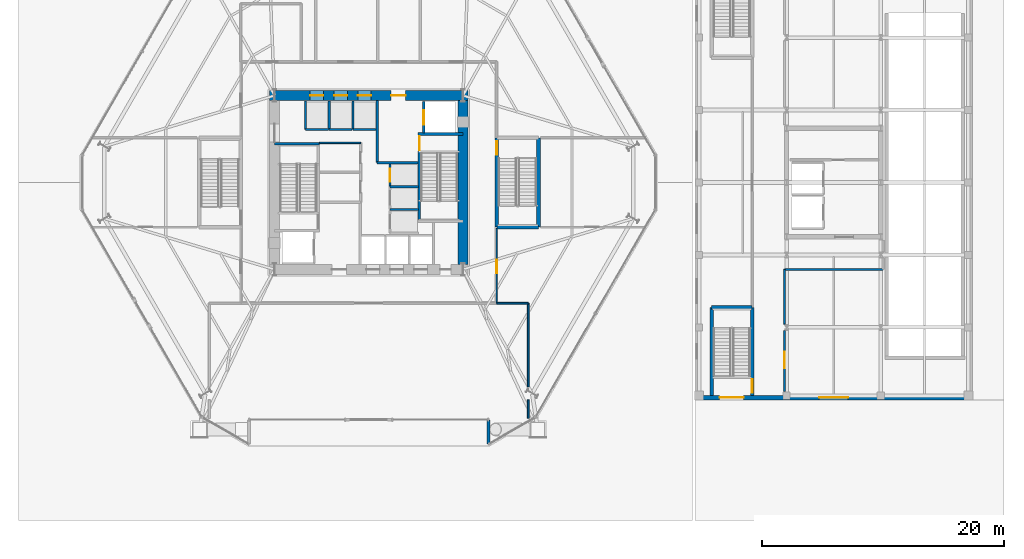
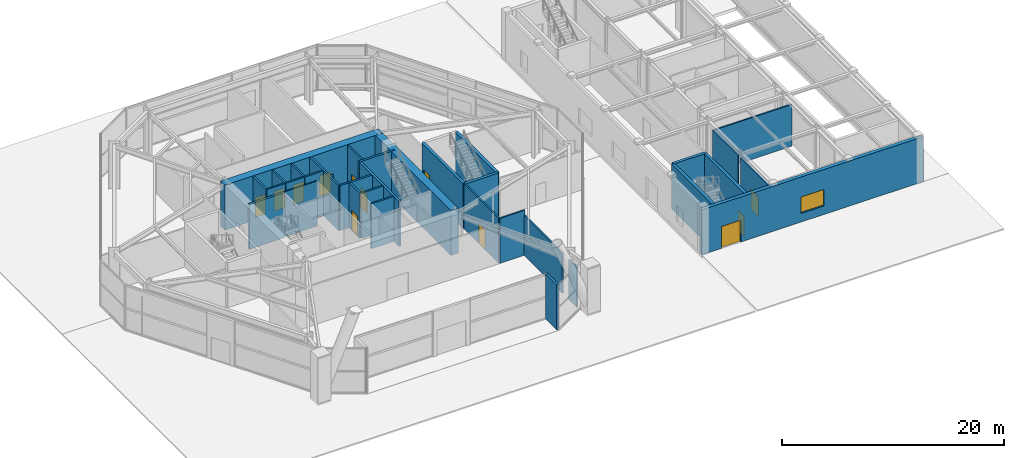
# One storey, part 18 of 26: 33 walls, 12 doors, 1 window, 13 openings.
"""IFC4 building model written with IfcOpenShell, lengths in metres."""

from ifc_helpers import new_model, si_unit, direction, frame, frame_2d, origin, place, context, subcontext, project, spatial, rectangle, extrude, material, layer, layer_set, type_object, element, fill, save


model = new_model("IFC4")

# Units and contexts
model_context = context("Model", 3, precision=1e-05, world=origin(), true_north=direction((0.0, 1.0)))
body_context = subcontext(model_context, "Body", "Model", "MODEL_VIEW")
ifc_project = project(units=[si_unit("LENGTHUNIT", "METRE"), si_unit("AREAUNIT", "SQUARE_METRE"), si_unit("VOLUMEUNIT", "CUBIC_METRE"), si_unit("PLANEANGLEUNIT", "RADIAN"), si_unit("MASSUNIT", "GRAM", prefix="KILO")], contexts=[model_context])

# Site, building, storey
site_placement = place(None, origin())
site = spatial("IfcSite", under=ifc_project, at=site_placement, CompositionType="ELEMENT")
building_placement = place(site_placement, origin())
building = spatial("IfcBuilding", under=site, at=building_placement, Name="Kranzbogen Civic Tower", CompositionType="ELEMENT")
storey_placement = place(building_placement, origin())
storey = spatial("IfcBuildingStorey", under=building, at=storey_placement, Name="L00", CompositionType="ELEMENT", Elevation=0.0)

# Wall, opening, door
ifc_material_1 = material(Name="Double-Stud Acoustic Gypsum Partition")
ifc_layer_1 = layer(ifc_material_1, 0.14990234375, Name="Double-Stud Acoustic Gypsum Partition")
ifc_layer_set_1 = layer_set([ifc_layer_1], Name="Double-Stud Acoustic Gypsum Partition")
wall_type_1 = type_object("IfcWallType", Name="Acoustic Corridor and Clinical Partition 150 mm", PredefinedType="PARTITIONING", material=ifc_layer_set_1)
wall_1_placement = place(storey_placement, frame((35.60009765625, 15.0, 0.0), z_axis=(0.0, 0.0, 1.0), x_axis=(0.0, 1.0, 0.0)))
wall_1 = element("IfcWall", 1, at=wall_1_placement, inside=storey, type_object=wall_type_1, Name="L00 podium concourse E1 wall", PredefinedType="PARTITIONING", context=body_context, shape_type="SweptSolid", body=[
    extrude(rectangle(XDim=6.25, YDim=0.14990234375, at=frame_2d((3.125, 0.0))), origin(), (0.0, 0.0, 1.0), 4.93994140625),
])
opening_1_placement = place(wall_1_placement, frame((2.486083984375, 0.0, 0.0)))
opening_1 = element("IfcOpeningElement", 2, at=opening_1_placement, cuts=wall_1, Name="Opening D-COR60", PredefinedType="OPENING", context=body_context, shape_type="SweptSolid", body=[
    extrude(rectangle(XDim=1.10009765625, YDim=2.199951171875, at=frame_2d((0.550048828125, 1.10009765625))), frame((0.0, 0.0849609375, 0.0), z_axis=(0.0, -1.0, 0.0), x_axis=(1.0, 0.0, 0.0)), (0.0, 0.0, 1.0), 0.169921875),
])
ifc_material_2 = material(Name="Oak Timber and Fire Core", Category="wood")
door_type_1 = type_object("IfcDoorType", Name="Corridor Acoustic Fire Door 1100x2200", OperationType="NOTDEFINED", PredefinedType="DOOR", material=ifc_material_2)
door_1_placement = place(opening_1_placement, origin())
door_1 = element("IfcDoor", 3, at=door_1_placement, inside=storey, type_object=door_type_1, Name="L00 Municipal Information Lounge door", OperationType="SINGLE_SWING_LEFT", OverallHeight=2.199951171875, OverallWidth=1.10009765625, PredefinedType="DOOR", context=body_context, shape_type="SweptSolid", body=[
    extrude(rectangle(XDim=1.10009765625, YDim=2.199951171875, at=frame_2d((0.550048828125, 1.10009765625))), frame((0.0, 0.02490234375, 0.0), z_axis=(0.0, -1.0, 0.0), x_axis=(1.0, 0.0, 0.0)), (0.0, 0.0, 1.0), 0.050048828125),
])
fill(opening_1, door_1)

# Walls
wall_2_placement = place(storey_placement, frame((38.199951171875, 5.469970703125, 0.0), z_axis=(0.0, 0.0, 1.0), x_axis=(0.0, 1.0, 0.0)))
element("IfcWall", 4, at=wall_2_placement, inside=storey, type_object=wall_type_1, Name="L00 podium partition 09 part 1", PredefinedType="PARTITIONING", context=body_context, shape_type="SweptSolid", body=[
    extrude(rectangle(XDim=1.52197265625, YDim=0.14990234375, at=frame_2d((0.760986328125, 0.0))), origin(), (0.0, 0.0, 1.0), 4.389892578125),
])
wall_3_placement = place(storey_placement, frame((38.199951171875, 8.080078125, 0.0), z_axis=(0.0, 0.0, 1.0), x_axis=(0.0, 1.0, 0.0)))
element("IfcWall", 5, at=wall_3_placement, inside=storey, type_object=wall_type_1, Name="L00 podium partition 09 part 2", PredefinedType="PARTITIONING", context=body_context, shape_type="SweptSolid", body=[
    extrude(rectangle(XDim=6.919921875, YDim=0.14990234375, at=frame_2d((3.4599609375, 0.0))), origin(), (0.0, 0.0, 1.0), 4.389892578125),
])
wall_4_placement = place(storey_placement, frame((35.60009765625, 15.0, 0.0), z_axis=(0.0, 0.0, 1.0), x_axis=(1.0, 0.0, 0.0)))
element("IfcWall", 6, at=wall_4_placement, inside=storey, type_object=wall_type_1, Name="L00 podium partition 11", PredefinedType="PARTITIONING", context=body_context, shape_type="SweptSolid", body=[
    extrude(rectangle(XDim=2.599853515625, YDim=0.14990234375, at=frame_2d((1.2998046875, 0.0))), origin(), (0.0, 0.0, 1.0), 4.93994140625),
])

# Wall, opening, door
wall_5_placement = place(storey_placement, frame((59.425048828125, 7.68994140625, 0.0), z_axis=(0.0, 0.0, 1.0), x_axis=(0.0, 1.0, 0.0)))
wall_5 = element("IfcWall", 7, at=wall_5_placement, inside=storey, type_object=wall_type_1, Name="L00 clinical corridor E1 wall part 1", PredefinedType="PARTITIONING", context=body_context, shape_type="SweptSolid", body=[
    extrude(rectangle(XDim=5.045166015625, YDim=0.14990234375, at=frame_2d((2.5224609375, 0.0))), origin(), (0.0, 0.0, 1.0), 4.580078125),
])
opening_2_placement = place(wall_5_placement, frame((1.93603515625, 0.0, 0.0)))
opening_2 = element("IfcOpeningElement", 8, at=opening_2_placement, cuts=wall_5, Name="Opening D-CLN60", PredefinedType="OPENING", context=body_context, shape_type="SweptSolid", body=[
    extrude(rectangle(XDim=1.35009765625, YDim=2.199951171875, at=frame_2d((0.675048828125, 1.10009765625))), frame((0.0, 0.0849609375, 0.0), z_axis=(0.0, -1.0, 0.0), x_axis=(1.0, 0.0, 0.0)), (0.0, 0.0, 1.0), 0.169921875),
])
ifc_material_3 = material(Name="Pale Anodised Aluminium", Category="aluminium")
door_type_2 = type_object("IfcDoorType", Name="Clinical Wide Leaf Door 1350x2200", OperationType="NOTDEFINED", PredefinedType="DOOR", material=ifc_material_3)
door_2_placement = place(opening_2_placement, origin())
door_2 = element("IfcDoor", 9, at=door_2_placement, inside=storey, type_object=door_type_2, Name="L00 Community Dispensary and Pharmacy door", OperationType="SINGLE_SWING_RIGHT", OverallHeight=2.199951171875, OverallWidth=1.35009765625, PredefinedType="DOOR", context=body_context, shape_type="SweptSolid", body=[
    extrude(rectangle(XDim=1.35009765625, YDim=2.199951171875, at=frame_2d((0.675048828125, 1.10009765625))), frame((0.0, 0.02490234375, 0.0), z_axis=(0.0, -1.0, 0.0), x_axis=(1.0, 0.0, 0.0)), (0.0, 0.0, 1.0), 0.050048828125),
])
fill(opening_2, door_2)

# Walls
wall_6_placement = place(storey_placement, frame((59.425048828125, 13.264892578125, 0.0), z_axis=(0.0, 0.0, 1.0), x_axis=(0.0, 1.0, 0.0)))
element("IfcWall", 10, at=wall_6_placement, inside=storey, type_object=wall_type_1, Name="L00 clinical corridor E1 wall part 2", PredefinedType="PARTITIONING", context=body_context, shape_type="SweptSolid", body=[
    extrude(rectangle(XDim=4.53515625, YDim=0.14990234375, at=frame_2d((2.267578125, 0.0))), origin(), (0.0, 0.0, 1.0), 4.580078125),
])
wall_7_placement = place(storey_placement, frame((59.425048828125, 17.800048828125, 0.0), z_axis=(0.0, 0.0, 1.0), x_axis=(1.0, 0.0, 0.0)))
element("IfcWall", 11, at=wall_7_placement, inside=storey, type_object=wall_type_1, Name="L00 clinical partition 02", PredefinedType="PARTITIONING", context=body_context, shape_type="SweptSolid", body=[
    extrude(rectangle(XDim=8.14990234375, YDim=0.14990234375, at=frame_2d((4.074951171875, 0.0))), origin(), (0.0, 0.0, 1.0), 4.580078125),
])
ifc_material_4 = material(Name="Insulated Metal-Stud Gypsum Partition")
ifc_layer_2 = layer(ifc_material_4, 0.125, Name="Insulated Metal-Stud Gypsum Partition")
ifc_layer_set_2 = layer_set([ifc_layer_2], Name="Insulated Metal-Stud Gypsum Partition")
wall_type_2 = type_object("IfcWallType", Name="Acoustic Inter-Room Partition 125 mm", PredefinedType="PARTITIONING", material=ifc_layer_set_2)
wall_8_placement = place(storey_placement, frame((20.919921875, 28.280029296875, 0.0), z_axis=(0.0, 0.0, 1.0), x_axis=(1.0, 0.0, 0.0)))
element("IfcWall", 12, at=wall_8_placement, inside=storey, type_object=wall_type_2, Name="L00 core auxiliary North wall", PredefinedType="PARTITIONING", context=body_context, shape_type="SweptSolid", body=[
    extrude(rectangle(XDim=3.405029296875, YDim=0.125, at=frame_2d((1.70263671875, 0.0))), origin(), (0.0, 0.0, 1.0), 4.93994140625),
])

# Wall, openings, doors
ifc_material_5 = material(Name="Concrete C55/67", Category="concrete")
ifc_layer_3 = layer(ifc_material_5, 0.800048828125, Name="Concrete C55/67")
ifc_layer_set_3 = layer_set([ifc_layer_3], Name="Concrete C55/67")
wall_type_3 = type_object("IfcWallType", Name="Central Core Shear Wall 800 mm", PredefinedType="SHEAR", material=ifc_layer_set_3)
wall_9_placement = place(storey_placement, frame((33.199951171875, 32.199951171875, 0.0), z_axis=(0.0, 0.0, 1.0), x_axis=(-1.0, 0.0, 0.0)))
wall_9 = element("IfcWall", 13, at=wall_9_placement, inside=storey, type_object=wall_type_3, Name="L00 central core North shear wall", PredefinedType="SHEAR", context=body_context, shape_type="SweptSolid", body=[
    extrude(rectangle(XDim=16.39990234375, YDim=0.800048828125, at=frame_2d((8.199951171875, 0.0))), origin(), (0.0, 0.0, 1.0), 4.93994140625),
])
opening_3_placement = place(wall_9_placement, frame((5.14990234375, 0.0, 0.0)))
opening_3 = element("IfcOpeningElement", 14, at=opening_3_placement, cuts=wall_9, Name="Opening D-EX120", PredefinedType="OPENING", context=body_context, shape_type="SweptSolid", body=[
    extrude(rectangle(XDim=1.199951171875, YDim=2.25, at=frame_2d((0.60009765625, 1.125))), frame((0.0, 0.41015625, 0.0), z_axis=(0.0, -1.0, 0.0), x_axis=(1.0, 0.0, 0.0)), (0.0, 0.0, 1.0), 0.820068359375),
])
opening_4_placement = place(wall_9_placement, frame((11.949951171875, 0.0, 0.0)))
opening_4 = element("IfcOpeningElement", 15, at=opening_4_placement, cuts=wall_9, Name="Opening LD-MP-01", PredefinedType="OPENING", context=body_context, shape_type="SweptSolid", body=[
    extrude(rectangle(XDim=1.10009765625, YDim=2.199951171875, at=frame_2d((0.550048828125, 1.10009765625))), frame((0.0, 0.41015625, 0.0), z_axis=(0.0, -1.0, 0.0), x_axis=(1.0, 0.0, 0.0)), (0.0, 0.0, 1.0), 0.820068359375),
])
opening_5_placement = place(wall_9_placement, frame((9.97509765625, 0.0, 0.0)))
opening_5 = element("IfcOpeningElement", 16, at=opening_5_placement, cuts=wall_9, Name="Opening LD-MP-02", PredefinedType="OPENING", context=body_context, shape_type="SweptSolid", body=[
    extrude(rectangle(XDim=1.10009765625, YDim=2.199951171875, at=frame_2d((0.550048828125, 1.10009765625))), frame((0.0, 0.41015625, 0.0), z_axis=(0.0, -1.0, 0.0), x_axis=(1.0, 0.0, 0.0)), (0.0, 0.0, 1.0), 0.820068359375),
])
opening_6_placement = place(wall_9_placement, frame((8.0, 0.0, 0.0)))
opening_6 = element("IfcOpeningElement", 17, at=opening_6_placement, cuts=wall_9, Name="Opening LD-MP-03", PredefinedType="OPENING", context=body_context, shape_type="SweptSolid", body=[
    extrude(rectangle(XDim=1.10009765625, YDim=2.199951171875, at=frame_2d((0.550048828125, 1.10009765625))), frame((0.0, 0.41015625, 0.0), z_axis=(0.0, -1.0, 0.0), x_axis=(1.0, 0.0, 0.0)), (0.0, 0.0, 1.0), 0.820068359375),
])
ifc_material_6 = material(Name="Steel S355", Category="steel")
door_type_3 = type_object("IfcDoorType", Name="Exit Passageway Fire Door 1200x2250", OperationType="NOTDEFINED", PredefinedType="DOOR", material=ifc_material_6)
door_3_placement = place(opening_3_placement, origin())
door_3 = element("IfcDoor", 18, at=door_3_placement, inside=storey, type_object=door_type_3, Name="L00 East firefighting lobby corridor door", OperationType="SINGLE_SWING_LEFT", OverallHeight=2.25, OverallWidth=1.199951171875, PredefinedType="DOOR", context=body_context, shape_type="SweptSolid", body=[
    extrude(rectangle(XDim=1.199951171875, YDim=2.25, at=frame_2d((0.60009765625, 1.125))), frame((0.0, 0.02490234375, 0.0), z_axis=(0.0, -1.0, 0.0), x_axis=(1.0, 0.0, 0.0)), (0.0, 0.0, 1.0), 0.050048828125),
])
fill(opening_3, door_3)
door_type_4 = type_object("IfcDoorType", Name="Passenger Lift Sliding Landing Door 1100x2200", OperationType="DOUBLE_DOOR_SLIDING", PredefinedType="DOOR", material=ifc_material_3)
door_4_placement = place(opening_4_placement, origin())
door_4 = element("IfcDoor", 19, at=door_4_placement, inside=storey, type_object=door_type_4, Name="L00 lift MP-01 sliding landing door", OperationType="DOUBLE_DOOR_SLIDING", OverallHeight=2.199951171875, OverallWidth=1.10009765625, PredefinedType="DOOR", context=body_context, shape_type="SweptSolid", body=[
    extrude(rectangle(XDim=1.10009765625, YDim=2.199951171875, at=frame_2d((0.550048828125, 1.10009765625))), frame((0.0, 0.02490234375, 0.0), z_axis=(0.0, -1.0, 0.0), x_axis=(1.0, 0.0, 0.0)), (0.0, 0.0, 1.0), 0.050048828125),
])
fill(opening_4, door_4)
door_5_placement = place(opening_5_placement, origin())
door_5 = element("IfcDoor", 20, at=door_5_placement, inside=storey, type_object=door_type_4, Name="L00 lift MP-02 sliding landing door", OperationType="DOUBLE_DOOR_SLIDING", OverallHeight=2.199951171875, OverallWidth=1.10009765625, PredefinedType="DOOR", context=body_context, shape_type="SweptSolid", body=[
    extrude(rectangle(XDim=1.10009765625, YDim=2.199951171875, at=frame_2d((0.550048828125, 1.10009765625))), frame((0.0, 0.02490234375, 0.0), z_axis=(0.0, -1.0, 0.0), x_axis=(1.0, 0.0, 0.0)), (0.0, 0.0, 1.0), 0.050048828125),
])
fill(opening_5, door_5)
door_6_placement = place(opening_6_placement, origin())
door_6 = element("IfcDoor", 21, at=door_6_placement, inside=storey, type_object=door_type_4, Name="L00 lift MP-03 sliding landing door", OperationType="DOUBLE_DOOR_SLIDING", OverallHeight=2.199951171875, OverallWidth=1.10009765625, PredefinedType="DOOR", context=body_context, shape_type="SweptSolid", body=[
    extrude(rectangle(XDim=1.10009765625, YDim=2.199951171875, at=frame_2d((0.550048828125, 1.10009765625))), frame((0.0, 0.02490234375, 0.0), z_axis=(0.0, -1.0, 0.0), x_axis=(1.0, 0.0, 0.0)), (0.0, 0.0, 1.0), 0.050048828125),
])
fill(opening_6, door_6)

# Walls
wall_10_placement = place(storey_placement, frame((32.800048828125, 18.199951171875, 0.0), z_axis=(0.0, 0.0, 1.0), x_axis=(0.0, 1.0, 0.0)))
element("IfcWall", 22, at=wall_10_placement, inside=storey, type_object=wall_type_3, Name="L00 central core East shear wall", PredefinedType="SHEAR", context=body_context, shape_type="SweptSolid", body=[
    extrude(rectangle(XDim=13.60009765625, YDim=0.800048828125, at=frame_2d((6.800048828125, 0.0))), origin(), (0.0, 0.0, 1.0), 4.93994140625),
])
ifc_material_7 = material(Name="Concrete C45/55", Category="concrete")
ifc_layer_4 = layer(ifc_material_7, 0.219970703125, Name="Concrete C45/55")
ifc_layer_set_4 = layer_set([ifc_layer_4], Name="Concrete C45/55")
wall_type_4 = type_object("IfcWallType", Name="Core Internal Stair Structural Wall 220 mm", PredefinedType="SOLIDWALL", material=ifc_layer_set_4)
wall_11_placement = place(storey_placement, frame((17.199951171875, 28.2099609375, 0.0), z_axis=(0.0, 0.0, 1.0), x_axis=(1.0, 0.0, 0.0)))
element("IfcWall", 23, at=wall_11_placement, inside=storey, type_object=wall_type_4, Name="L00 ST-T1 North structural stair wall", PredefinedType="SOLIDWALL", context=body_context, shape_type="SweptSolid", body=[
    extrude(rectangle(XDim=3.719970703125, YDim=0.219970703125, at=frame_2d((1.85986328125, 0.0))), origin(), (0.0, 0.0, 1.0), 4.93994140625),
])

# Wall, opening, door
wall_12_placement = place(storey_placement, frame((29.18994140625, 21.7900390625, 0.0), z_axis=(0.0, 0.0, 1.0), x_axis=(0.0, 1.0, 0.0)))
wall_12 = element("IfcWall", 24, at=wall_12_placement, inside=storey, type_object=wall_type_4, Name="L00 ST-T2 West structural stair wall", PredefinedType="SOLIDWALL", context=body_context, shape_type="SweptSolid", body=[
    extrude(rectangle(XDim=7.219970703125, YDim=0.219970703125, at=frame_2d((3.60986328125, 0.0))), origin(), (0.0, 0.0, 1.0), 4.93994140625),
])
opening_7_placement = place(wall_12_placement, frame((5.8798828125, 0.0, 0.0)))
opening_7 = element("IfcOpeningElement", 25, at=opening_7_placement, cuts=wall_12, Name="Opening D-ST90", PredefinedType="OPENING", context=body_context, shape_type="SweptSolid", body=[
    extrude(rectangle(XDim=1.14990234375, YDim=2.199951171875, at=frame_2d((0.574951171875, 1.10009765625))), frame((0.0, 0.1201171875, 0.0), z_axis=(0.0, -1.0, 0.0), x_axis=(1.0, 0.0, 0.0)), (0.0, 0.0, 1.0), 0.239990234375),
])
door_type_5 = type_object("IfcDoorType", Name="Pressurized Stair and Lobby Fire Door 1150x2200", OperationType="NOTDEFINED", PredefinedType="DOOR", material=ifc_material_6)
door_7_placement = place(opening_7_placement, origin())
door_7 = element("IfcDoor", 26, at=door_7_placement, inside=storey, type_object=door_type_5, Name="L00 Stair ST-T2 fire door", OperationType="SINGLE_SWING_LEFT", OverallHeight=2.199951171875, OverallWidth=1.14990234375, PredefinedType="DOOR", context=body_context, shape_type="SweptSolid", body=[
    extrude(rectangle(XDim=1.14990234375, YDim=2.199951171875, at=frame_2d((0.574951171875, 1.10009765625))), frame((0.0, 0.02490234375, 0.0), z_axis=(0.0, -1.0, 0.0), x_axis=(1.0, 0.0, 0.0)), (0.0, 0.0, 1.0), 0.050048828125),
])
fill(opening_7, door_7)

# Walls
wall_13_placement = place(storey_placement, frame((29.080078125, 29.010009765625, 0.0), z_axis=(0.0, 0.0, 1.0), x_axis=(1.0, 0.0, 0.0)))
element("IfcWall", 27, at=wall_13_placement, inside=storey, type_object=wall_type_4, Name="L00 ST-T2 North structural stair wall", PredefinedType="SOLIDWALL", context=body_context, shape_type="SweptSolid", body=[
    extrude(rectangle(XDim=3.719970703125, YDim=0.219970703125, at=frame_2d((1.85986328125, 0.0))), origin(), (0.0, 0.0, 1.0), 4.93994140625),
])
ifc_material_8 = material(Name="Gypsum Fireboard and Concrete Block", Category="concrete")
ifc_layer_5 = layer(ifc_material_8, 0.199951171875, Name="Gypsum Fireboard and Concrete Block")
ifc_layer_set_5 = layer_set([ifc_layer_5], Name="Gypsum Fireboard and Concrete Block")
wall_type_5 = type_object("IfcWallType", Name="Fire-Rated Exit Passageway and Stair Wall 200 mm", PredefinedType="PARTITIONING", material=ifc_layer_set_5)
wall_14_placement = place(storey_placement, frame((25.699951171875, 26.64990234375, 0.0), z_axis=(0.0, 0.0, 1.0), x_axis=(0.0, 1.0, 0.0)))
element("IfcWall", 28, at=wall_14_placement, inside=storey, type_object=wall_type_5, Name="L00 East firefighting lobby West wall", PredefinedType="PARTITIONING", context=body_context, shape_type="SweptSolid", body=[
    extrude(rectangle(XDim=5.150146484375, YDim=0.199951171875, at=frame_2d((2.5751953125, 0.0))), origin(), (0.0, 0.0, 1.0), 4.93994140625),
])
wall_15_placement = place(storey_placement, frame((25.699951171875, 26.64990234375, 0.0), z_axis=(0.0, 0.0, 1.0), x_axis=(1.0, 0.0, 0.0)))
element("IfcWall", 29, at=wall_15_placement, inside=storey, type_object=wall_type_5, Name="L00 East firefighting lobby South wall", PredefinedType="PARTITIONING", context=body_context, shape_type="SweptSolid", body=[
    extrude(rectangle(XDim=3.380126953125, YDim=0.199951171875, at=frame_2d((1.68994140625, 0.0))), origin(), (0.0, 0.0, 1.0), 4.93994140625),
])
ifc_material_9 = material(Name="Gypsum Fireboard Shaftliner")
ifc_layer_6 = layer(ifc_material_9, 0.175048828125, Name="Gypsum Fireboard Shaftliner")
ifc_layer_set_6 = layer_set([ifc_layer_6], Name="Gypsum Fireboard Shaftliner")
wall_type_6 = type_object("IfcWallType", Name="Fire-Rated Lift and Service Shaft Wall 175 mm", PredefinedType="PARTITIONING", material=ifc_layer_set_6)
wall_16_placement = place(storey_placement, frame((19.75, 29.39990234375, 0.0), z_axis=(0.0, 0.0, 1.0), x_axis=(1.0, 0.0, 0.0)))
element("IfcWall", 30, at=wall_16_placement, inside=storey, type_object=wall_type_6, Name="L00 lift MP-01 rear wall", PredefinedType="PARTITIONING", context=body_context, shape_type="SweptSolid", body=[
    extrude(rectangle(XDim=1.89990234375, YDim=0.175048828125, at=frame_2d((0.949951171875, 0.0))), origin(), (0.0, 0.0, 1.0), 4.93994140625),
])
wall_17_placement = place(storey_placement, frame((19.75, 29.39990234375, 0.0), z_axis=(0.0, 0.0, 1.0), x_axis=(0.0, 1.0, 0.0)))
element("IfcWall", 31, at=wall_17_placement, inside=storey, type_object=wall_type_6, Name="L00 lift MP-01 side wall", PredefinedType="PARTITIONING", context=body_context, shape_type="SweptSolid", body=[
    extrude(rectangle(XDim=2.35009765625, YDim=0.175048828125, at=frame_2d((1.175048828125, 0.0))), origin(), (0.0, 0.0, 1.0), 4.93994140625),
])
wall_18_placement = place(storey_placement, frame((21.72509765625, 29.39990234375, 0.0), z_axis=(0.0, 0.0, 1.0), x_axis=(1.0, 0.0, 0.0)))
element("IfcWall", 32, at=wall_18_placement, inside=storey, type_object=wall_type_6, Name="L00 lift MP-02 rear wall", PredefinedType="PARTITIONING", context=body_context, shape_type="SweptSolid", body=[
    extrude(rectangle(XDim=1.89990234375, YDim=0.175048828125, at=frame_2d((0.949951171875, 0.0))), origin(), (0.0, 0.0, 1.0), 4.93994140625),
])
wall_19_placement = place(storey_placement, frame((21.72509765625, 29.39990234375, 0.0), z_axis=(0.0, 0.0, 1.0), x_axis=(0.0, 1.0, 0.0)))
element("IfcWall", 33, at=wall_19_placement, inside=storey, type_object=wall_type_6, Name="L00 lift MP-02 side wall", PredefinedType="PARTITIONING", context=body_context, shape_type="SweptSolid", body=[
    extrude(rectangle(XDim=2.35009765625, YDim=0.175048828125, at=frame_2d((1.175048828125, 0.0))), origin(), (0.0, 0.0, 1.0), 4.93994140625),
])
wall_20_placement = place(storey_placement, frame((23.699951171875, 29.39990234375, 0.0), z_axis=(0.0, 0.0, 1.0), x_axis=(1.0, 0.0, 0.0)))
element("IfcWall", 34, at=wall_20_placement, inside=storey, type_object=wall_type_6, Name="L00 lift MP-03 rear wall", PredefinedType="PARTITIONING", context=body_context, shape_type="SweptSolid", body=[
    extrude(rectangle(XDim=1.900146484375, YDim=0.175048828125, at=frame_2d((0.9501953125, 0.0))), origin(), (0.0, 0.0, 1.0), 4.93994140625),
])
for number, where, z_axis, x_axis, name in (
    (35, (23.699951171875, 29.39990234375, 0.0), (0.0, 0.0, 1.0), (0.0, 1.0, 0.0), "L00 lift MP-03 side wall"),
    (36, (26.75, 22.77490234375, 0.0), (0.0, 0.0, 1.0), (1.0, 0.0, 0.0), "L00 lift HP-02 side wall"),
):
    element("IfcWall", number, at=place(storey_placement, frame(where, z_axis=z_axis, x_axis=x_axis)), inside=storey, type_object=wall_type_6, Name=name, PredefinedType="PARTITIONING", context=body_context, shape_type="SweptSolid", body=[
        extrude(rectangle(XDim=2.35009765625, YDim=0.175048828125, at=frame_2d((1.175048828125, 0.0))), origin(), (0.0, 0.0, 1.0), 4.93994140625),
    ])

# Wall, opening, door
wall_21_placement = place(storey_placement, frame((26.75, 24.64990234375, 0.0), z_axis=(0.0, 0.0, 1.0), x_axis=(0.0, 1.0, 0.0)))
wall_21 = element("IfcWall", 37, at=wall_21_placement, inside=storey, type_object=wall_type_6, Name="L00 lift HP-03 landing wall", PredefinedType="PARTITIONING", context=body_context, shape_type="SweptSolid", body=[
    extrude(rectangle(XDim=1.900146484375, YDim=0.175048828125, at=frame_2d((0.9501953125, 0.0))), origin(), (0.0, 0.0, 1.0), 4.93994140625),
])
opening_8_placement = place(wall_21_placement, frame((0.39990234375, 0.0, 0.0)))
opening_8 = element("IfcOpeningElement", 38, at=opening_8_placement, cuts=wall_21, Name="Opening LD-HP-03", PredefinedType="OPENING", context=body_context, shape_type="SweptSolid", body=[
    extrude(rectangle(XDim=1.10009765625, YDim=2.199951171875, at=frame_2d((0.550048828125, 1.10009765625))), frame((0.0, 0.09765625, 0.0), z_axis=(0.0, -1.0, 0.0), x_axis=(1.0, 0.0, 0.0)), (0.0, 0.0, 1.0), 0.195068359375),
])
door_8_placement = place(opening_8_placement, origin())
door_8 = element("IfcDoor", 39, at=door_8_placement, inside=storey, type_object=door_type_4, Name="L00 lift HP-03 sliding landing door", OperationType="DOUBLE_DOOR_SLIDING", OverallHeight=2.199951171875, OverallWidth=1.10009765625, PredefinedType="DOOR", context=body_context, shape_type="SweptSolid", body=[
    extrude(rectangle(XDim=1.10009765625, YDim=2.199951171875, at=frame_2d((0.550048828125, 1.10009765625))), frame((0.0, 0.02490234375, 0.0), z_axis=(0.0, -1.0, 0.0), x_axis=(1.0, 0.0, 0.0)), (0.0, 0.0, 1.0), 0.050048828125),
])
fill(opening_8, door_8)

# Wall
wall_22_placement = place(storey_placement, frame((26.75, 24.64990234375, 0.0), z_axis=(0.0, 0.0, 1.0), x_axis=(1.0, 0.0, 0.0)))
element("IfcWall", 40, at=wall_22_placement, inside=storey, type_object=wall_type_6, Name="L00 lift HP-03 side wall", PredefinedType="PARTITIONING", context=body_context, shape_type="SweptSolid", body=[
    extrude(rectangle(XDim=2.35009765625, YDim=0.175048828125, at=frame_2d((1.175048828125, 0.0))), origin(), (0.0, 0.0, 1.0), 4.93994140625),
])

# Wall, opening, door
wall_23_placement = place(storey_placement, frame((29.550048828125, 29.10009765625, 0.0), z_axis=(0.0, 0.0, 1.0), x_axis=(0.0, 1.0, 0.0)))
wall_23 = element("IfcWall", 41, at=wall_23_placement, inside=storey, type_object=wall_type_6, Name="L00 lift FF-02 landing wall", PredefinedType="PARTITIONING", context=body_context, shape_type="SweptSolid", body=[
    extrude(rectangle(XDim=2.599853515625, YDim=0.175048828125, at=frame_2d((1.2998046875, 0.0))), origin(), (0.0, 0.0, 1.0), 4.93994140625),
])
opening_9_placement = place(wall_23_placement, frame((0.699951171875, 0.0, 0.0)))
opening_9 = element("IfcOpeningElement", 42, at=opening_9_placement, cuts=wall_23, Name="Opening LD-FF-02", PredefinedType="OPENING", context=body_context, shape_type="SweptSolid", body=[
    extrude(rectangle(XDim=1.199951171875, YDim=2.199951171875, at=frame_2d((0.60009765625, 1.10009765625))), frame((0.0, 0.09765625, 0.0), z_axis=(0.0, -1.0, 0.0), x_axis=(1.0, 0.0, 0.0)), (0.0, 0.0, 1.0), 0.195068359375),
])
door_type_6 = type_object("IfcDoorType", Name="Firefighting and Stretcher Lift Sliding Landing Door 1200x2200", OperationType="DOUBLE_DOOR_SLIDING", PredefinedType="DOOR", material=ifc_material_3)
door_9_placement = place(opening_9_placement, origin())
door_9 = element("IfcDoor", 43, at=door_9_placement, inside=storey, type_object=door_type_6, Name="L00 lift FF-02 sliding landing door", OperationType="DOUBLE_DOOR_SLIDING", OverallHeight=2.199951171875, OverallWidth=1.199951171875, PredefinedType="DOOR", context=body_context, shape_type="SweptSolid", body=[
    extrude(rectangle(XDim=1.199951171875, YDim=2.199951171875, at=frame_2d((0.60009765625, 1.10009765625))), frame((0.0, 0.02490234375, 0.0), z_axis=(0.0, -1.0, 0.0), x_axis=(1.0, 0.0, 0.0)), (0.0, 0.0, 1.0), 0.050048828125),
])
fill(opening_9, door_9)

# Wall, openings, door, window
ifc_material_10 = material(Name="Precast concrete C40/50", Category="concrete")
ifc_layer_7 = layer(ifc_material_10, 0.3798828125, Name="Precast concrete C40/50")
ifc_layer_set_7 = layer_set([ifc_layer_7], Name="Precast concrete C40/50")
wall_type_7 = type_object("IfcWallType", Name="Health Centre Insulated Precast Facade Wall 380 mm", PredefinedType="STANDARD", material=ifc_layer_set_7)
wall_24_placement = place(storey_placement, frame((75.0, 7.18994140625, 0.0), z_axis=(0.0, 0.0, 1.0), x_axis=(-1.0, 0.0, 0.0)))
wall_24 = element("IfcWall", 44, at=wall_24_placement, inside=storey, type_object=wall_type_7, Name="L00 Health Centre South facade wall", PredefinedType="STANDARD", context=body_context, shape_type="SweptSolid", body=[
    extrude(rectangle(XDim=23.0, YDim=0.3798828125, at=frame_2d((11.5, 0.0))), origin(), (0.0, 0.0, 1.0), 4.93994140625),
])
opening_10_placement = place(wall_24_placement, frame((18.949951171875, 0.0, 0.0)))
opening_10 = element("IfcOpeningElement", 45, at=opening_10_placement, cuts=wall_24, Name="Opening D-EXP", PredefinedType="OPENING", context=body_context, shape_type="SweptSolid", body=[
    extrude(rectangle(XDim=2.0, YDim=2.39990234375, at=frame_2d((1.0, 1.199951171875))), frame((0.0, 0.199951171875, 0.0), z_axis=(0.0, -1.0, 0.0), x_axis=(1.0, 0.0, 0.0)), (0.0, 0.0, 1.0), 0.39990234375),
])
opening_11_placement = place(wall_24_placement, frame((10.300048828125, 0.0, 0.949951171875)))
opening_11 = element("IfcOpeningElement", 46, at=opening_11_placement, cuts=wall_24, Name="Opening W-HC24", PredefinedType="OPENING", context=body_context, shape_type="SweptSolid", body=[
    extrude(rectangle(XDim=2.39990234375, YDim=1.800048828125, at=frame_2d((1.199951171875, 0.89990234375))), frame((0.0, 0.199951171875, 0.0), z_axis=(0.0, -1.0, 0.0), x_axis=(1.0, 0.0, 0.0)), (0.0, 0.0, 1.0), 0.39990234375),
])
door_type_7 = type_object("IfcDoorType", Name="Statutory Emergency Exit Discharge Door 2000x2400", OperationType="DOUBLE_DOOR_SINGLE_SWING", PredefinedType="DOOR", material=ifc_material_3)
door_10_placement = place(opening_10_placement, origin())
door_10 = element("IfcDoor", 47, at=door_10_placement, inside=storey, type_object=door_type_7, Name="L00 Health Centre Stair 1 exterior exit door", OperationType="DOUBLE_DOOR_SINGLE_SWING", OverallHeight=2.39990234375, OverallWidth=2.0, PredefinedType="DOOR", context=body_context, shape_type="SweptSolid", body=[
    extrude(rectangle(XDim=2.0, YDim=2.39990234375, at=frame_2d((1.0, 1.199951171875))), frame((0.0, 0.02490234375, 0.0), z_axis=(0.0, -1.0, 0.0), x_axis=(1.0, 0.0, 0.0)), (0.0, 0.0, 1.0), 0.050048828125),
])
fill(opening_10, door_10)
ifc_material_11 = material(Name="Low-E Triple Glazing Glass", Category="glass")
window_type = type_object("IfcWindowType", Name="Wide Clinical Window 2400x1800", PartitioningType="TRIPLE_PANEL_VERTICAL", PredefinedType="WINDOW", material=ifc_material_11)
window_placement = place(opening_11_placement, origin())
window = element("IfcWindow", 48, at=window_placement, inside=storey, type_object=window_type, Name="L00 Health Centre South window", OverallHeight=1.800048828125, OverallWidth=2.39990234375, PartitioningType="TRIPLE_PANEL_VERTICAL", PredefinedType="WINDOW", context=body_context, shape_type="SweptSolid", body=[
    extrude(rectangle(XDim=2.39990234375, YDim=1.800048828125, at=frame_2d((1.199951171875, 0.89990234375))), frame((0.0, 0.030029296875, 0.0), z_axis=(0.0, -1.0, 0.0), x_axis=(1.0, 0.0, 0.0)), (0.0, 0.0, 1.0), 0.06005859375),
])
fill(opening_11, window)

# Wall
ifc_layer_8 = layer(ifc_material_3, 0.239990234375, Name="Pale Anodised Aluminium")
ifc_layer_set_8 = layer_set([ifc_layer_8], Name="Pale Anodised Aluminium")
wall_type_8 = type_object("IfcWallType", Name="Insulated Aluminium Facade Portal Wall 240 mm", PredefinedType="STANDARD", material=ifc_layer_set_8)
wall_25_placement = place(storey_placement, frame((34.929931640625, 5.35009765625, 0.0), z_axis=(0.0, 0.0, 1.0), x_axis=(0.0, -1.0, 0.0)))
element("IfcWall", 49, at=wall_25_placement, inside=storey, type_object=wall_type_8, Name="L00 portal colonnade East return wall", PredefinedType="STANDARD", context=body_context, shape_type="SweptSolid", body=[
    extrude(rectangle(XDim=2.023193359375, YDim=0.239990234375, at=frame_2d((1.01171875, 0.0))), origin(), (0.0, 0.0, 1.0), 4.93994140625),
])

# Wall, opening, door
ifc_material_12 = material(Name="Concrete C40/50", Category="concrete")
ifc_layer_9 = layer(ifc_material_12, 0.300048828125, Name="Concrete C40/50")
ifc_layer_set_9 = layer_set([ifc_layer_9], Name="Concrete C40/50")
wall_type_9 = type_object("IfcWallType", Name="Structural Ramp and Stair Shaft Wall 300 mm", PredefinedType="SOLIDWALL", material=ifc_layer_set_9)
wall_26_placement = place(storey_placement, frame((56.75, 7.35009765625, 0.0), z_axis=(0.0, 0.0, 1.0), x_axis=(0.0, 1.0, 0.0)))
wall_26 = element("IfcWall", 50, at=wall_26_placement, inside=storey, type_object=wall_type_9, Name="L00 STH1 E structural stair wall", PredefinedType="SOLIDWALL", context=body_context, shape_type="SweptSolid", body=[
    extrude(rectangle(XDim=7.2998046875, YDim=0.300048828125, at=frame_2d((3.64990234375, 0.0))), origin(), (0.0, 0.0, 1.0), 4.93994140625),
])
opening_12_placement = place(wall_26_placement, frame((0.219970703125, 0.0, 0.0)))
opening_12 = element("IfcOpeningElement", 51, at=opening_12_placement, cuts=wall_26, Name="Opening D-ST90", PredefinedType="OPENING", context=body_context, shape_type="SweptSolid", body=[
    extrude(rectangle(XDim=1.14990234375, YDim=2.199951171875, at=frame_2d((0.574951171875, 1.10009765625))), frame((0.0, 0.16015625, 0.0), z_axis=(0.0, -1.0, 0.0), x_axis=(1.0, 0.0, 0.0)), (0.0, 0.0, 1.0), 0.320068359375),
])
door_11_placement = place(opening_12_placement, origin())
door_11 = element("IfcDoor", 52, at=door_11_placement, inside=storey, type_object=door_type_5, Name="L00 Health Centre Stair 1 fire door", OperationType="SINGLE_SWING_LEFT", OverallHeight=2.199951171875, OverallWidth=1.14990234375, PredefinedType="DOOR", context=body_context, shape_type="SweptSolid", body=[
    extrude(rectangle(XDim=1.14990234375, YDim=2.199951171875, at=frame_2d((0.574951171875, 1.10009765625))), frame((0.0, 0.02490234375, 0.0), z_axis=(0.0, -1.0, 0.0), x_axis=(1.0, 0.0, 0.0)), (0.0, 0.0, 1.0), 0.050048828125),
])
fill(opening_12, door_11)

# Walls
wall_27_placement = place(storey_placement, frame((53.39990234375, 7.35009765625, 0.0), z_axis=(0.0, 0.0, 1.0), x_axis=(0.0, 1.0, 0.0)))
element("IfcWall", 53, at=wall_27_placement, inside=storey, type_object=wall_type_9, Name="L00 STH1 W structural stair wall", PredefinedType="SOLIDWALL", context=body_context, shape_type="SweptSolid", body=[
    extrude(rectangle(XDim=7.2998046875, YDim=0.300048828125, at=frame_2d((3.64990234375, 0.0))), origin(), (0.0, 0.0, 1.0), 4.93994140625),
])
wall_28_placement = place(storey_placement, frame((53.39990234375, 14.64990234375, 0.0), z_axis=(0.0, 0.0, 1.0), x_axis=(1.0, 0.0, 0.0)))
element("IfcWall", 54, at=wall_28_placement, inside=storey, type_object=wall_type_9, Name="L00 STH1 N structural stair wall", PredefinedType="SOLIDWALL", context=body_context, shape_type="SweptSolid", body=[
    extrude(rectangle(XDim=3.35009765625, YDim=0.300048828125, at=frame_2d((1.675048828125, 0.0))), origin(), (0.0, 0.0, 1.0), 4.93994140625),
])

# Wall, opening, door
wall_29_placement = place(storey_placement, frame((35.60009765625, 21.300048828125, 0.0), z_axis=(0.0, 0.0, 1.0), x_axis=(0.0, 1.0, 0.0)))
wall_29 = element("IfcWall", 55, at=wall_29_placement, inside=storey, type_object=wall_type_9, Name="L00 STP2 W structural stair wall", PredefinedType="SOLIDWALL", context=body_context, shape_type="SweptSolid", body=[
    extrude(rectangle(XDim=7.39990234375, YDim=0.300048828125, at=frame_2d((3.699951171875, 0.0))), origin(), (0.0, 0.0, 1.0), 4.93994140625),
])
opening_13_placement = place(wall_29_placement, frame((5.97998046875, 0.0, 0.0)))
opening_13 = element("IfcOpeningElement", 56, at=opening_13_placement, cuts=wall_29, Name="Opening D-ST90", PredefinedType="OPENING", context=body_context, shape_type="SweptSolid", body=[
    extrude(rectangle(XDim=1.14990234375, YDim=2.199951171875, at=frame_2d((0.574951171875, 1.10009765625))), frame((0.0, 0.16015625, 0.0), z_axis=(0.0, -1.0, 0.0), x_axis=(1.0, 0.0, 0.0)), (0.0, 0.0, 1.0), 0.320068359375),
])
door_12_placement = place(opening_13_placement, origin())
door_12 = element("IfcDoor", 57, at=door_12_placement, inside=storey, type_object=door_type_5, Name="L00 Podium Stair 2 fire door", OperationType="SINGLE_SWING_LEFT", OverallHeight=2.199951171875, OverallWidth=1.14990234375, PredefinedType="DOOR", context=body_context, shape_type="SweptSolid", body=[
    extrude(rectangle(XDim=1.14990234375, YDim=2.199951171875, at=frame_2d((0.574951171875, 1.10009765625))), frame((0.0, 0.02490234375, 0.0), z_axis=(0.0, -1.0, 0.0), x_axis=(1.0, 0.0, 0.0)), (0.0, 0.0, 1.0), 0.050048828125),
])
fill(opening_13, door_12)

# Walls
wall_30_placement = place(storey_placement, frame((39.050048828125, 21.300048828125, 0.0), z_axis=(0.0, 0.0, 1.0), x_axis=(0.0, 1.0, 0.0)))
element("IfcWall", 58, at=wall_30_placement, inside=storey, type_object=wall_type_9, Name="L00 STP2 E structural stair wall", PredefinedType="SOLIDWALL", context=body_context, shape_type="SweptSolid", body=[
    extrude(rectangle(XDim=7.39990234375, YDim=0.300048828125, at=frame_2d((3.699951171875, 0.0))), origin(), (0.0, 0.0, 1.0), 4.93994140625),
])
wall_31_placement = place(storey_placement, frame((35.60009765625, 21.300048828125, 0.0), z_axis=(0.0, 0.0, 1.0), x_axis=(1.0, 0.0, 0.0)))
element("IfcWall", 59, at=wall_31_placement, inside=storey, type_object=wall_type_9, Name="L00 STP2 S structural stair wall", PredefinedType="SOLIDWALL", context=body_context, shape_type="SweptSolid", body=[
    extrude(rectangle(XDim=3.449951171875, YDim=0.300048828125, at=frame_2d((1.72509765625, 0.0))), origin(), (0.0, 0.0, 1.0), 4.93994140625),
])

save(model, "model.ifc")
